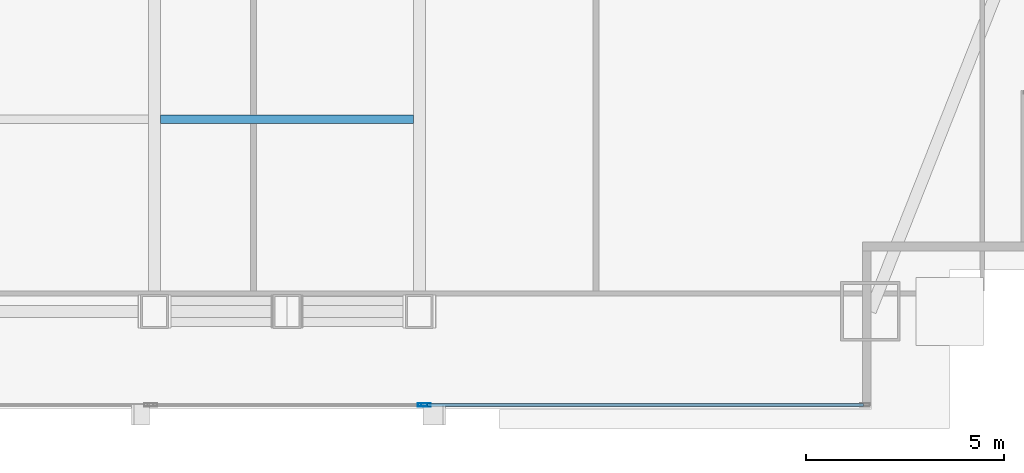
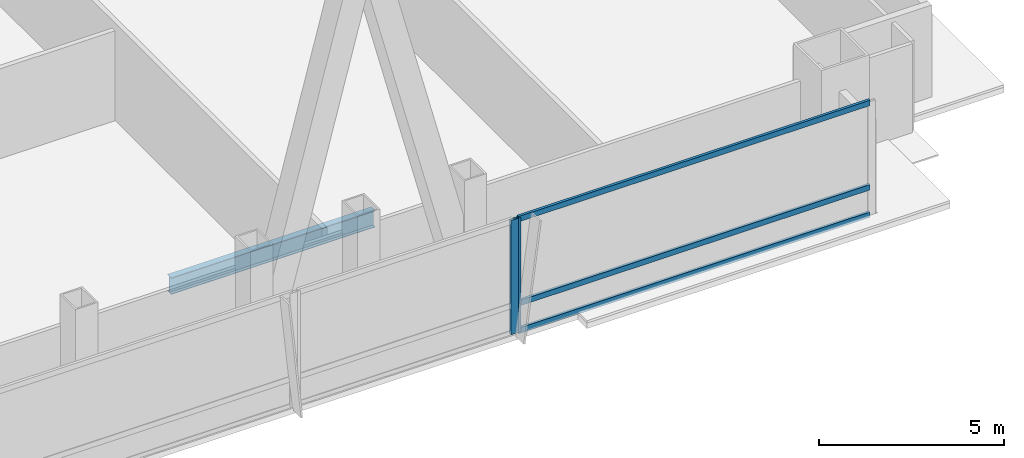
# One storey, part 14 of 32: 5 members, 1 beam, 2 elements without a shape of their own.
"""IFC4 building model written with IfcOpenShell, lengths in metres."""

from ifc_helpers import new_model, si_unit, direction, frame, origin, origin_2d, place, context, subcontext, project, spatial, hollow_rectangle, i_section, extrude, material, material_profile, profile_set, type_object, element, aggregate, save


model = new_model("IFC4")

# Units and contexts
model_context = context("Model", 3, precision=1e-05, world=origin(), true_north=direction((0.0, 1.0)))
body_context = subcontext(model_context, "Body", "Model", "MODEL_VIEW")
ifc_project = project(units=[si_unit("LENGTHUNIT", "METRE"), si_unit("AREAUNIT", "SQUARE_METRE"), si_unit("VOLUMEUNIT", "CUBIC_METRE"), si_unit("PLANEANGLEUNIT", "RADIAN"), si_unit("MASSUNIT", "GRAM", prefix="KILO")], contexts=[model_context])

# Site, building, storey
site_placement = place(None, origin())
site = spatial("IfcSite", under=ifc_project, at=site_placement, CompositionType="ELEMENT")
building_placement = place(site_placement, origin())
building = spatial("IfcBuilding", under=site, at=building_placement, Name="Khoronbel Lancet Exchange", CompositionType="ELEMENT")
storey_placement = place(building_placement, frame((0.0, 0.0, 81.800048828125)))
storey = spatial("IfcBuildingStorey", under=building, at=storey_placement, Name="L19", CompositionType="ELEMENT", Elevation=81.800048828125)

# Beam
ifc_material_1 = material(Name="Steel S355", Category="steel")
ifc_material_profile_1 = material_profile(ifc_material_1, i_section(OverallWidth=0.2099609375, OverallDepth=0.550048828125, WebThickness=0.010986328125, FlangeThickness=0.01708984375, at=origin_2d()), Name="IPE 550")
ifc_profile_set_1 = profile_set([ifc_material_profile_1], Name="Steel S355")
beam_type = type_object("IfcBeamType", Name="BM-BJ2", PredefinedType="JOIST", material=ifc_profile_set_1)
beam_placement = place(storey_placement, frame((48.14990234375, 15.0, -0.455078125), z_axis=(1.0, 0.0, 0.0), x_axis=(0.0, 1.0, 0.0)))
element("IfcBeam", 1, at=beam_placement, inside=storey, type_object=beam_type, Name="Level L19 secondary composite joist J05", PredefinedType="JOIST", context=body_context, shape_type="SweptSolid", body=[
    extrude(i_section(OverallWidth=0.2099609375, OverallDepth=0.550048828125, WebThickness=0.010986328125, FlangeThickness=0.01708984375, at=origin_2d()), origin(), (0.0, 0.0, 1.0), 6.375),
])

# Curtain wall, member
ifc_material_2 = material(Name="Low-E Solar Control Insulating Glass", Category="glass")
curtain_wall_type = type_object("IfcCurtainWallType", Name="CW-2", PredefinedType="NOTDEFINED", material=ifc_material_2)
curtain_wall_1_placement = place(storey_placement, origin())
curtain_wall_1 = element("IfcCurtainWall", 2, at=curtain_wall_1_placement, inside=storey, type_object=curtain_wall_type, Name="Unitised curtain wall CW-L19-SEB", PredefinedType="NOTDEFINED")
ifc_material_3 = material(Name="Bronze-Anodised Aluminium 6063-T6", Category="aluminium")
ifc_material_profile_2 = material_profile(ifc_material_3, hollow_rectangle(XDim=0.0849609375, YDim=0.239990234375, WallThickness=0.006103515625, at=origin_2d()), Name="ALU MULLION 85x240")
ifc_profile_set_2 = profile_set([ifc_material_profile_2], Name="Bronze-Anodised Aluminium 6063-T6")
member_type_1 = type_object("IfcMemberType", Name="MEM-CWM1", PredefinedType="MULLION", material=ifc_profile_set_2)
member_1_placement = place(storey_placement, frame((54.757568359375, 7.7900390625, 0.0), z_axis=(0.0, 0.0, 1.0), x_axis=(0.0, 1.0, 0.0)))
member_1 = element("IfcMember", 3, at=member_1_placement, type_object=member_type_1, Name="CW2 mullion 2", PredefinedType="MULLION", context=body_context, shape_type="SweptSolid", body=[
    extrude(hollow_rectangle(XDim=0.0849609375, YDim=0.239990234375, WallThickness=0.006103515625, at=origin_2d()), origin(), (0.0, 0.0, 1.0), 3.780029296875),
])
aggregate(curtain_wall_1, [member_1])

# Curtain wall, members
curtain_wall_2_placement = place(storey_placement, origin())
curtain_wall_2 = element("IfcCurtainWall", 4, at=curtain_wall_2_placement, inside=storey, type_object=curtain_wall_type, Name="Unitised curtain wall CW-L19-SEV", PredefinedType="NOTDEFINED")
member_2_placement = place(storey_placement, frame((54.842529296875, 7.7900390625, 0.0), z_axis=(0.0, 0.0, 1.0), x_axis=(0.0, 1.0, 0.0)))
member_2 = element("IfcMember", 5, at=member_2_placement, type_object=member_type_1, Name="CW2 mullion 1", PredefinedType="MULLION", context=body_context, shape_type="SweptSolid", body=[
    extrude(hollow_rectangle(XDim=0.0849609375, YDim=0.239990234375, WallThickness=0.006103515625, at=origin_2d()), origin(), (0.0, 0.0, 1.0), 3.780029296875),
])
ifc_material_profile_3 = material_profile(ifc_material_3, hollow_rectangle(XDim=0.0849609375, YDim=0.179931640625, WallThickness=0.0048828125, at=origin_2d()), Name="ALU TRANSOM 85x180")
ifc_profile_set_3 = profile_set([ifc_material_profile_3], Name="Bronze-Anodised Aluminium 6063-T6")
member_type_2 = type_object("IfcMemberType", Name="MEM-CWT1", PredefinedType="USERDEFINED", material=ifc_profile_set_3)
member_3_placement = place(storey_placement, frame((54.885009765625, 7.7900390625, 0.04248046875), z_axis=(1.0, 0.0, 0.0), x_axis=(0.0, 1.0, 0.0)))
member_3 = element("IfcMember", 6, at=member_3_placement, type_object=member_type_2, Name="CW2 transom 1.1", ObjectType="TRANSOM", PredefinedType="USERDEFINED", context=body_context, shape_type="SweptSolid", body=[
    extrude(hollow_rectangle(XDim=0.0849609375, YDim=0.179931640625, WallThickness=0.0048828125, at=origin_2d()), origin(), (0.0, 0.0, 1.0), 10.989990234375),
])
member_4_placement = place(storey_placement, frame((54.885009765625, 7.7900390625, 0.949951171875), z_axis=(1.0, 0.0, 0.0), x_axis=(0.0, 1.0, 0.0)))
member_4 = element("IfcMember", 7, at=member_4_placement, type_object=member_type_2, Name="CW2 transom 1.2", ObjectType="TRANSOM", PredefinedType="USERDEFINED", context=body_context, shape_type="SweptSolid", body=[
    extrude(hollow_rectangle(XDim=0.0849609375, YDim=0.179931640625, WallThickness=0.0048828125, at=origin_2d()), origin(), (0.0, 0.0, 1.0), 10.989990234375),
])
member_5_placement = place(storey_placement, frame((54.885009765625, 7.7900390625, 3.737548828125), z_axis=(1.0, 0.0, 0.0), x_axis=(0.0, 1.0, 0.0)))
member_5 = element("IfcMember", 8, at=member_5_placement, type_object=member_type_2, Name="CW2 transom 1.3", ObjectType="TRANSOM", PredefinedType="USERDEFINED", context=body_context, shape_type="SweptSolid", body=[
    extrude(hollow_rectangle(XDim=0.0849609375, YDim=0.179931640625, WallThickness=0.0048828125, at=origin_2d()), origin(), (0.0, 0.0, 1.0), 10.989990234375),
])
aggregate(curtain_wall_2, [member_2, member_3, member_4, member_5])

save(model, "model.ifc")
